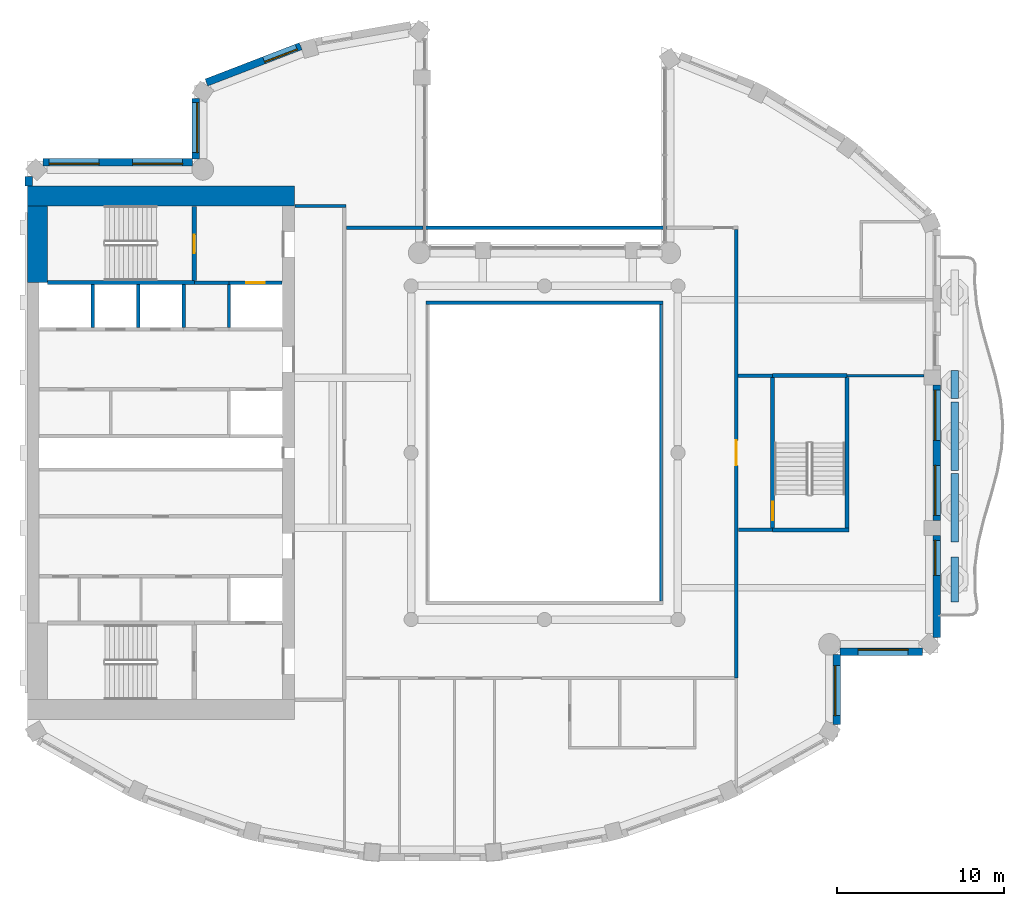
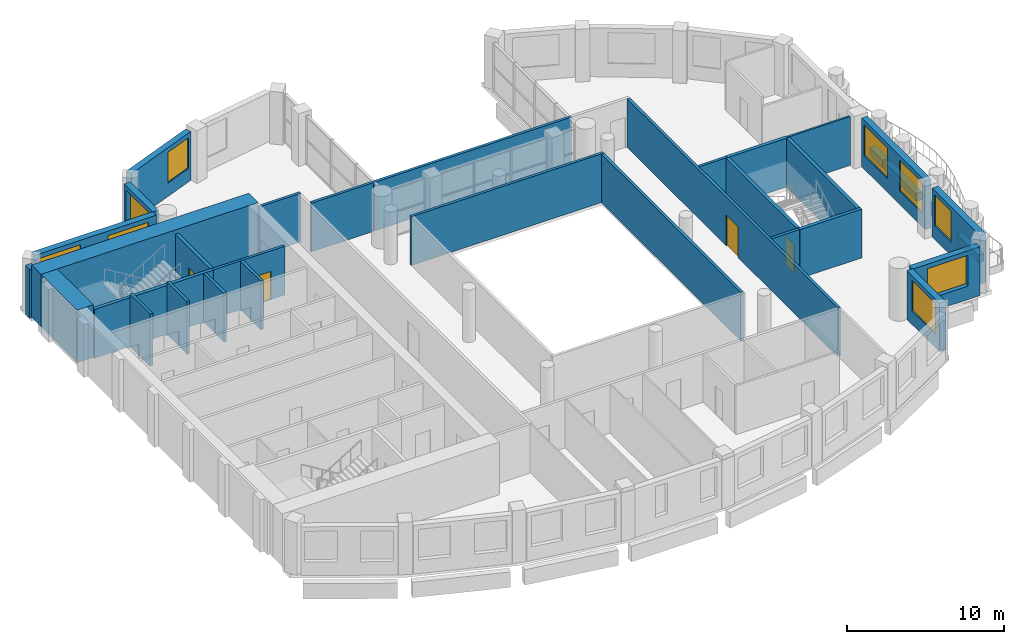
# One storey, part 6 of 14: 35 walls, 9 windows, 4 doors, 13 openings.
"""IFC4 building model written with IfcOpenShell, lengths in metres."""

from ifc_helpers import new_model, si_unit, direction, frame, frame_2d, origin, place, context, subcontext, project, spatial, rectangle, extrude, material, layer, layer_set, type_object, element, fill, save


model = new_model("IFC4")

# Units and contexts
model_context = context("Model", 3, precision=1e-05, world=origin(), true_north=direction((0.0, 1.0)))
body_context = subcontext(model_context, "Body", "Model", "MODEL_VIEW")
ifc_project = project(units=[si_unit("LENGTHUNIT", "METRE"), si_unit("AREAUNIT", "SQUARE_METRE"), si_unit("VOLUMEUNIT", "CUBIC_METRE"), si_unit("PLANEANGLEUNIT", "RADIAN"), si_unit("MASSUNIT", "GRAM", prefix="KILO")], contexts=[model_context])

# Site, building, storey
site_placement = place(None, origin())
site = spatial("IfcSite", under=ifc_project, at=site_placement, CompositionType="ELEMENT")
building_placement = place(site_placement, origin())
building = spatial("IfcBuilding", under=site, at=building_placement, Name="Cypress Arch Tower", CompositionType="ELEMENT")
storey_placement = place(building_placement, frame((0.0, 0.0, 255.699951171875)))
storey = spatial("IfcBuildingStorey", under=building, at=storey_placement, Name="L57", CompositionType="ELEMENT", Elevation=255.699951171875)

# Walls
ifc_material_1 = material(Name="Concrete C40/50, waterproofed", Category="concrete")
ifc_layer_1 = layer(ifc_material_1, 0.449951171875)
ifc_layer_set_1 = layer_set([ifc_layer_1], Name="Balcony planter wall PW450")
wall_type_1 = type_object("IfcWallType", Name="Balcony planter wall PW450", PredefinedType="SOLIDWALL", material=ifc_layer_set_1)
wall_1_placement = place(storey_placement, frame((25.60009765625, -8.949951171875, 0.0), z_axis=(0.0, 0.0, 1.0), x_axis=(0.0, 1.0, 0.0)))
element("IfcWall", 1, at=wall_1_placement, inside=storey, type_object=wall_type_1, Name="Balcony planter wall L57-C17.1", PredefinedType="SOLIDWALL", context=body_context, shape_type="SweptSolid", body=[
    extrude(rectangle(XDim=2.699951171875, YDim=0.449951171875, at=frame_2d((1.35009765625, 0.0))), origin(), (0.0, 0.0, 1.0), 0.60009765625),
])
for number, where, z_axis, x_axis, name in (
    (2, (25.60009765625, -5.35009765625, 0.0), (0.0, 0.0, 1.0), (0.0, 1.0, 0.0), "Balcony planter wall L57-C17.2"),
    (3, (25.60009765625, -1.050048828125, 0.0), (0.0, 0.0, 1.0), (0.0, 1.0, 0.0), "Balcony planter wall L57-C17.3"),
):
    element("IfcWall", number, at=place(storey_placement, frame(where, z_axis=z_axis, x_axis=x_axis)), inside=storey, type_object=wall_type_1, Name=name, PredefinedType="SOLIDWALL", context=body_context, shape_type="SweptSolid", body=[
        extrude(rectangle(XDim=4.10009765625, YDim=0.449951171875, at=frame_2d((2.050048828125, 0.0))), origin(), (0.0, 0.0, 1.0), 0.60009765625),
    ])
wall_2_placement = place(storey_placement, frame((25.60009765625, 3.25, 0.0), z_axis=(0.0, 0.0, 1.0), x_axis=(0.0, 1.0, 0.0)))
element("IfcWall", 4, at=wall_2_placement, inside=storey, type_object=wall_type_1, Name="Balcony planter wall L57-C17.4", PredefinedType="SOLIDWALL", context=body_context, shape_type="SweptSolid", body=[
    extrude(rectangle(XDim=1.69140625, YDim=0.449951171875, at=frame_2d((0.845703125, 0.0))), origin(), (0.0, 0.0, 1.0), 0.60009765625),
])

# Wall, opening, window
ifc_material_2 = material(Name="Brick (red buff blend)", Category="masonry")
ifc_layer_2 = layer(ifc_material_2, 0.449951171875)
ifc_layer_set_2 = layer_set([ifc_layer_2], Name="Brick pier and spandrel wall BW450")
wall_type_2 = type_object("IfcWallType", Name="Brick pier and spandrel wall BW450", PredefinedType="SOLIDWALL", material=ifc_layer_set_2)
wall_3_placement = place(storey_placement, frame((-13.6220703125, 24.376953125, 0.0), z_axis=(0.0, 0.0, 1.0), x_axis=(-0.933129259679, -0.359541075164, 0.0)))
wall_3 = element("IfcWall", 5, at=wall_3_placement, inside=storey, type_object=wall_type_2, Name="Brick wall L57 C04.0", PredefinedType="SOLIDWALL", context=body_context, shape_type="SweptSolid", body=[
    extrude(rectangle(XDim=6.05419921875, YDim=0.449951171875, at=frame_2d((3.027099609375, 0.0))), origin(), (0.0, 0.0, 1.0), 3.800048828125),
])
opening_1_placement = place(wall_3_placement, frame((0.260986328125, 0.0, 1.050048828125)))
opening_1 = element("IfcOpeningElement", 6, at=opening_1_placement, cuts=wall_3, Name="Opening W210O", PredefinedType="OPENING", context=body_context, shape_type="SweptSolid", body=[
    extrude(rectangle(XDim=2.10009765625, YDim=2.39990234375, at=frame_2d((1.050048828125, 1.199951171875))), frame((0.0, 0.23486328125, 0.0), z_axis=(0.0, -1.0, 0.0), x_axis=(1.0, 0.0, 0.0)), (0.0, 0.0, 1.0), 0.469970703125),
])
ifc_material_3 = material(Name="Anodised aluminium, bronze finish, clear low-emissivity double glazing", Category="aluminium")
window_type_1 = type_object("IfcWindowType", Name="Window Office 2100x2400", PartitioningType="SINGLE_PANEL", PredefinedType="WINDOW", material=ifc_material_3)
window_1_placement = place(opening_1_placement, origin())
window_1 = element("IfcWindow", 7, at=window_1_placement, inside=storey, type_object=window_type_1, Name="Window L57 C04.0.1", OverallHeight=2.39990234375, OverallWidth=2.10009765625, PartitioningType="SINGLE_PANEL", PredefinedType="WINDOW", context=body_context, shape_type="SweptSolid", body=[
    extrude(rectangle(XDim=2.10009765625, YDim=2.39990234375, at=frame_2d((1.050048828125, 1.199951171875))), frame((0.0, 0.135009765625, 0.0), z_axis=(0.0, -1.0, 0.0), x_axis=(1.0, 0.0, 0.0)), (0.0, 0.0, 1.0), 0.06005859375),
])
fill(opening_1, window_1)

wall_4_placement = place(storey_placement, frame((-19.925048828125, 21.248291015625, 0.0), z_axis=(0.0, 0.0, 1.0), x_axis=(0.0, -1.0, 0.0)))
wall_4 = element("IfcWall", 8, at=wall_4_placement, inside=storey, type_object=wall_type_2, Name="Brick wall L57 C05.0", PredefinedType="SOLIDWALL", context=body_context, shape_type="SweptSolid", body=[
    extrude(rectangle(XDim=3.646728515625, YDim=0.449951171875, at=frame_2d((1.8232421875, 0.0))), origin(), (0.0, 0.0, 1.0), 3.800048828125),
])
opening_2_placement = place(wall_4_placement, frame((0.251220703125, 0.0, 1.050048828125)))
opening_2 = element("IfcOpeningElement", 9, at=opening_2_placement, cuts=wall_4, Name="Opening W300O", PredefinedType="OPENING", context=body_context, shape_type="SweptSolid", body=[
    extrude(rectangle(XDim=3.0, YDim=2.39990234375, at=frame_2d((1.5, 1.199951171875))), frame((0.0, 0.23486328125, 0.0), z_axis=(0.0, -1.0, 0.0), x_axis=(1.0, 0.0, 0.0)), (0.0, 0.0, 1.0), 0.469970703125),
])
ifc_material_4 = material(Name="Anodised aluminium, bronze finish, clear low-emissivity double glazing", Category="aluminium")
window_type_2 = type_object("IfcWindowType", Name="Window Office 3000x2400", PartitioningType="SINGLE_PANEL", PredefinedType="WINDOW", material=ifc_material_4)
window_2_placement = place(opening_2_placement, origin())
window_2 = element("IfcWindow", 10, at=window_2_placement, inside=storey, type_object=window_type_2, Name="Window L57 C05.0.1", OverallHeight=2.39990234375, OverallWidth=3.0, PartitioningType="SINGLE_PANEL", PredefinedType="WINDOW", context=body_context, shape_type="SweptSolid", body=[
    extrude(rectangle(XDim=3.0, YDim=2.39990234375, at=frame_2d((1.5, 1.199951171875))), frame((0.0, 0.135009765625, 0.0), z_axis=(0.0, -1.0, 0.0), x_axis=(1.0, 0.0, 0.0)), (0.0, 0.0, 1.0), 0.06005859375),
])
fill(opening_2, window_2)

# Wall, openings, windows
wall_5_placement = place(storey_placement, frame((-20.1015625, 17.425048828125, 0.0), z_axis=(0.0, 0.0, 1.0), x_axis=(-1.0, 0.0, 0.0)))
wall_5 = element("IfcWall", 11, at=wall_5_placement, inside=storey, type_object=wall_type_2, Name="Brick wall L57 C06.0", PredefinedType="SOLIDWALL", context=body_context, shape_type="SweptSolid", body=[
    extrude(rectangle(XDim=8.962158203125, YDim=0.449951171875, at=frame_2d((4.48095703125, 0.0))), origin(), (0.0, 0.0, 1.0), 3.800048828125),
])
opening_3_placement = place(wall_5_placement, frame((0.598388671875, 0.0, 1.050048828125)))
opening_3 = element("IfcOpeningElement", 12, at=opening_3_placement, cuts=wall_5, Name="Opening W300O", PredefinedType="OPENING", context=body_context, shape_type="SweptSolid", body=[
    extrude(rectangle(XDim=3.0, YDim=2.39990234375, at=frame_2d((1.5, 1.199951171875))), frame((0.0, 0.23486328125, 0.0), z_axis=(0.0, -1.0, 0.0), x_axis=(1.0, 0.0, 0.0)), (0.0, 0.0, 1.0), 0.469970703125),
])
opening_4_placement = place(wall_5_placement, frame((5.598388671875, 0.0, 1.050048828125)))
opening_4 = element("IfcOpeningElement", 13, at=opening_4_placement, cuts=wall_5, Name="Opening W300O", PredefinedType="OPENING", context=body_context, shape_type="SweptSolid", body=[
    extrude(rectangle(XDim=3.0, YDim=2.39990234375, at=frame_2d((1.5, 1.199951171875))), frame((0.0, 0.23486328125, 0.0), z_axis=(0.0, -1.0, 0.0), x_axis=(1.0, 0.0, 0.0)), (0.0, 0.0, 1.0), 0.469970703125),
])
window_3_placement = place(opening_3_placement, origin())
window_3 = element("IfcWindow", 14, at=window_3_placement, inside=storey, type_object=window_type_2, Name="Window L57 C06.0.1", OverallHeight=2.39990234375, OverallWidth=3.0, PartitioningType="SINGLE_PANEL", PredefinedType="WINDOW", context=body_context, shape_type="SweptSolid", body=[
    extrude(rectangle(XDim=3.0, YDim=2.39990234375, at=frame_2d((1.5, 1.199951171875))), frame((0.0, 0.135009765625, 0.0), z_axis=(0.0, -1.0, 0.0), x_axis=(1.0, 0.0, 0.0)), (0.0, 0.0, 1.0), 0.06005859375),
])
fill(opening_3, window_3)
window_4_placement = place(opening_4_placement, origin())
window_4 = element("IfcWindow", 15, at=window_4_placement, inside=storey, type_object=window_type_2, Name="Window L57 C06.0.2", OverallHeight=2.39990234375, OverallWidth=3.0, PartitioningType="SINGLE_PANEL", PredefinedType="WINDOW", context=body_context, shape_type="SweptSolid", body=[
    extrude(rectangle(XDim=3.0, YDim=2.39990234375, at=frame_2d((1.5, 1.199951171875))), frame((0.0, 0.135009765625, 0.0), z_axis=(0.0, -1.0, 0.0), x_axis=(1.0, 0.0, 0.0)), (0.0, 0.0, 1.0), 0.06005859375),
])
fill(opening_4, window_4)

# Wall
wall_6_placement = place(storey_placement, frame((-29.925048828125, 16.563720703125, 0.0), z_axis=(0.0, 0.0, 1.0), x_axis=(0.0, -1.0, 0.0)))
element("IfcWall", 16, at=wall_6_placement, inside=storey, type_object=wall_type_2, Name="Brick wall L57 C07.0", PredefinedType="SOLIDWALL", context=body_context, shape_type="SweptSolid", body=[
    extrude(rectangle(XDim=0.563720703125, YDim=0.449951171875, at=frame_2d((0.28173828125, 0.0))), origin(), (0.0, 0.0, 1.0), 3.800048828125),
])

# Wall, opening, window
wall_7_placement = place(storey_placement, frame((18.52490234375, -16.3037109375, 0.0), z_axis=(0.0, 0.0, 1.0), x_axis=(0.0, 1.0, 0.0)))
wall_7 = element("IfcWall", 17, at=wall_7_placement, inside=storey, type_object=wall_type_2, Name="Brick wall L57 C15.0", PredefinedType="SOLIDWALL", context=body_context, shape_type="SweptSolid", body=[
    extrude(rectangle(XDim=4.2021484375, YDim=0.449951171875, at=frame_2d((2.10107421875, 0.0))), origin(), (0.0, 0.0, 1.0), 3.800048828125),
])
opening_5_placement = place(wall_7_placement, frame((0.541259765625, 0.0, 1.050048828125)))
opening_5 = element("IfcOpeningElement", 18, at=opening_5_placement, cuts=wall_7, Name="Opening W300O", PredefinedType="OPENING", context=body_context, shape_type="SweptSolid", body=[
    extrude(rectangle(XDim=3.0, YDim=2.39990234375, at=frame_2d((1.5, 1.199951171875))), frame((0.0, 0.23486328125, 0.0), z_axis=(0.0, -1.0, 0.0), x_axis=(1.0, 0.0, 0.0)), (0.0, 0.0, 1.0), 0.469970703125),
])
window_5_placement = place(opening_5_placement, origin())
window_5 = element("IfcWindow", 19, at=window_5_placement, inside=storey, type_object=window_type_2, Name="Window L57 C15.0.1", OverallHeight=2.39990234375, OverallWidth=3.0, PartitioningType="SINGLE_PANEL", PredefinedType="WINDOW", context=body_context, shape_type="SweptSolid", body=[
    extrude(rectangle(XDim=3.0, YDim=2.39990234375, at=frame_2d((1.5, 1.199951171875))), frame((0.0, 0.135009765625, 0.0), z_axis=(0.0, -1.0, 0.0), x_axis=(1.0, 0.0, 0.0)), (0.0, 0.0, 1.0), 0.06005859375),
])
fill(opening_5, window_5)

wall_8_placement = place(storey_placement, frame((18.701416015625, -11.925048828125, 0.0), z_axis=(0.0, 0.0, 1.0), x_axis=(1.0, 0.0, 0.0)))
wall_8 = element("IfcWall", 20, at=wall_8_placement, inside=storey, type_object=wall_type_2, Name="Brick wall L57 C16.0", PredefinedType="SOLIDWALL", context=body_context, shape_type="SweptSolid", body=[
    extrude(rectangle(XDim=4.962158203125, YDim=0.449951171875, at=frame_2d((2.48095703125, 0.0))), origin(), (0.0, 0.0, 1.0), 3.800048828125),
])
opening_6_placement = place(wall_8_placement, frame((1.098388671875, 0.0, 1.050048828125)))
opening_6 = element("IfcOpeningElement", 21, at=opening_6_placement, cuts=wall_8, Name="Opening W300O", PredefinedType="OPENING", context=body_context, shape_type="SweptSolid", body=[
    extrude(rectangle(XDim=3.0, YDim=2.39990234375, at=frame_2d((1.5, 1.199951171875))), frame((0.0, 0.23486328125, 0.0), z_axis=(0.0, -1.0, 0.0), x_axis=(1.0, 0.0, 0.0)), (0.0, 0.0, 1.0), 0.469970703125),
])
window_6_placement = place(opening_6_placement, origin())
window_6 = element("IfcWindow", 22, at=window_6_placement, inside=storey, type_object=window_type_2, Name="Window L57 C16.0.1", OverallHeight=2.39990234375, OverallWidth=3.0, PartitioningType="SINGLE_PANEL", PredefinedType="WINDOW", context=body_context, shape_type="SweptSolid", body=[
    extrude(rectangle(XDim=3.0, YDim=2.39990234375, at=frame_2d((1.5, 1.199951171875))), frame((0.0, 0.135009765625, 0.0), z_axis=(0.0, -1.0, 0.0), x_axis=(1.0, 0.0, 0.0)), (0.0, 0.0, 1.0), 0.06005859375),
])
fill(opening_6, window_6)

wall_9_placement = place(storey_placement, frame((24.52490234375, -11.063720703125, 0.0), z_axis=(0.0, 0.0, 1.0), x_axis=(0.0, 1.0, 0.0)))
wall_9 = element("IfcWall", 23, at=wall_9_placement, inside=storey, type_object=wall_type_2, Name="Brick wall L57 C17.0", PredefinedType="SOLIDWALL", context=body_context, shape_type="SweptSolid", body=[
    extrude(rectangle(XDim=6.11376953125, YDim=0.449951171875, at=frame_2d((3.056884765625, 0.0))), origin(), (0.0, 0.0, 1.0), 3.800048828125),
])
opening_7_placement = place(wall_9_placement, frame((3.713623046875, 0.0, 1.050048828125)))
opening_7 = element("IfcOpeningElement", 24, at=opening_7_placement, cuts=wall_9, Name="Opening W210OD", PredefinedType="OPENING", context=body_context, shape_type="SweptSolid", body=[
    extrude(rectangle(XDim=2.10009765625, YDim=2.39990234375, at=frame_2d((1.050048828125, 1.199951171875))), frame((0.0, 0.23486328125, 0.0), z_axis=(0.0, -1.0, 0.0), x_axis=(1.0, 0.0, 0.0)), (0.0, 0.0, 1.0), 0.469970703125),
])
ifc_material_5 = material(Name="Anodised aluminium, bronze finish, laminated low-emissivity double glazing, large-missile impact rated", Category="aluminium")
window_type_3 = type_object("IfcWindowType", Name="Window Office 2100x2400 debris-rated", PartitioningType="SINGLE_PANEL", PredefinedType="WINDOW", material=ifc_material_5)
window_7_placement = place(opening_7_placement, origin())
window_7 = element("IfcWindow", 25, at=window_7_placement, inside=storey, type_object=window_type_3, Name="Window L57 C17.0.2", OverallHeight=2.39990234375, OverallWidth=2.10009765625, PartitioningType="SINGLE_PANEL", PredefinedType="WINDOW", context=body_context, shape_type="SweptSolid", body=[
    extrude(rectangle(XDim=2.10009765625, YDim=2.39990234375, at=frame_2d((1.050048828125, 1.199951171875))), frame((0.0, 0.135009765625, 0.0), z_axis=(0.0, -1.0, 0.0), x_axis=(1.0, 0.0, 0.0)), (0.0, 0.0, 1.0), 0.06005859375),
])
fill(opening_7, window_7)

# Wall, openings, windows
wall_10_placement = place(storey_placement, frame((24.52490234375, -4.050048828125, 0.0), z_axis=(0.0, 0.0, 1.0), x_axis=(0.0, 1.0, 0.0)))
wall_10 = element("IfcWall", 26, at=wall_10_placement, inside=storey, type_object=wall_type_2, Name="Brick wall L57 C17.1", PredefinedType="SOLIDWALL", context=body_context, shape_type="SweptSolid", body=[
    extrude(rectangle(XDim=8.10009765625, YDim=0.449951171875, at=frame_2d((4.050048828125, 0.0))), origin(), (0.0, 0.0, 1.0), 3.800048828125),
])
opening_8_placement = place(wall_10_placement, frame((0.300048828125, 0.0, 1.050048828125)))
opening_8 = element("IfcOpeningElement", 27, at=opening_8_placement, cuts=wall_10, Name="Opening W300OD", PredefinedType="OPENING", context=body_context, shape_type="SweptSolid", body=[
    extrude(rectangle(XDim=3.0, YDim=2.39990234375, at=frame_2d((1.5, 1.199951171875))), frame((0.0, 0.23486328125, 0.0), z_axis=(0.0, -1.0, 0.0), x_axis=(1.0, 0.0, 0.0)), (0.0, 0.0, 1.0), 0.469970703125),
])
opening_9_placement = place(wall_10_placement, frame((4.800048828125, 0.0, 1.050048828125)))
opening_9 = element("IfcOpeningElement", 28, at=opening_9_placement, cuts=wall_10, Name="Opening W300OD", PredefinedType="OPENING", context=body_context, shape_type="SweptSolid", body=[
    extrude(rectangle(XDim=3.0, YDim=2.39990234375, at=frame_2d((1.5, 1.199951171875))), frame((0.0, 0.23486328125, 0.0), z_axis=(0.0, -1.0, 0.0), x_axis=(1.0, 0.0, 0.0)), (0.0, 0.0, 1.0), 0.469970703125),
])
ifc_material_6 = material(Name="Anodised aluminium, bronze finish, laminated low-emissivity double glazing, large-missile impact rated", Category="aluminium")
window_type_4 = type_object("IfcWindowType", Name="Window Office 3000x2400 debris-rated", PartitioningType="SINGLE_PANEL", PredefinedType="WINDOW", material=ifc_material_6)
window_8_placement = place(opening_8_placement, origin())
window_8 = element("IfcWindow", 29, at=window_8_placement, inside=storey, type_object=window_type_4, Name="Window L57 C17.1.1", OverallHeight=2.39990234375, OverallWidth=3.0, PartitioningType="SINGLE_PANEL", PredefinedType="WINDOW", context=body_context, shape_type="SweptSolid", body=[
    extrude(rectangle(XDim=3.0, YDim=2.39990234375, at=frame_2d((1.5, 1.199951171875))), frame((0.0, 0.135009765625, 0.0), z_axis=(0.0, -1.0, 0.0), x_axis=(1.0, 0.0, 0.0)), (0.0, 0.0, 1.0), 0.06005859375),
])
fill(opening_8, window_8)
window_9_placement = place(opening_9_placement, origin())
window_9 = element("IfcWindow", 30, at=window_9_placement, inside=storey, type_object=window_type_4, Name="Window L57 C17.1.2", OverallHeight=2.39990234375, OverallWidth=3.0, PartitioningType="SINGLE_PANEL", PredefinedType="WINDOW", context=body_context, shape_type="SweptSolid", body=[
    extrude(rectangle(XDim=3.0, YDim=2.39990234375, at=frame_2d((1.5, 1.199951171875))), frame((0.0, 0.135009765625, 0.0), z_axis=(0.0, -1.0, 0.0), x_axis=(1.0, 0.0, 0.0)), (0.0, 0.0, 1.0), 0.06005859375),
])
fill(opening_9, window_9)

# Walls
ifc_material_7 = material(Name="Concrete C60/75", Category="concrete")
ifc_layer_3 = layer(ifc_material_7, 1.199951171875)
ifc_layer_set_3 = layer_set([ifc_layer_3], Name="Core wall CW1200 C60/75")
wall_type_3 = type_object("IfcWallType", Name="Core wall CW1200 C60/75", PredefinedType="SHEAR", material=ifc_layer_set_3)
wall_11_placement = place(storey_placement, frame((-30.0, 15.39990234375, 0.0), z_axis=(0.0, 0.0, 1.0), x_axis=(1.0, 0.0, 0.0)))
element("IfcWall", 31, at=wall_11_placement, inside=storey, type_object=wall_type_3, Name="Core wall", PredefinedType="SHEAR", context=body_context, shape_type="SweptSolid", body=[
    extrude(rectangle(XDim=16.0, YDim=1.199951171875, at=frame_2d((8.0, 0.0))), origin(), (0.0, 0.0, 1.0), 4.10009765625),
])
wall_12_placement = place(storey_placement, frame((-29.39990234375, 10.199951171875, 0.0), z_axis=(0.0, 0.0, 1.0), x_axis=(0.0, 1.0, 0.0)))
element("IfcWall", 32, at=wall_12_placement, inside=storey, type_object=wall_type_3, Name="Core wall", PredefinedType="SHEAR", context=body_context, shape_type="SweptSolid", body=[
    extrude(rectangle(XDim=4.60009765625, YDim=1.199951171875, at=frame_2d((2.300048828125, 0.0))), origin(), (0.0, 0.0, 1.0), 4.10009765625),
])
ifc_material_8 = material(Name="Concrete blockwork, plastered, rated", Category="masonry")
ifc_layer_4 = layer(ifc_material_8, 0.199951171875)
ifc_layer_set_4 = layer_set([ifc_layer_4], Name="Corridor wall FW200")
wall_type_4 = type_object("IfcWallType", Name="Corridor wall FW200", PredefinedType="PARTITIONING", material=ifc_layer_set_4)
wall_13_placement = place(storey_placement, frame((-20.0, 10.199951171875, 0.0), z_axis=(0.0, 0.0, 1.0), x_axis=(1.0, 0.0, 0.0)))
element("IfcWall", 33, at=wall_13_placement, inside=storey, type_object=wall_type_4, Name="Corridor wall", PredefinedType="PARTITIONING", context=body_context, shape_type="SweptSolid", body=[
    extrude(rectangle(XDim=2.080078125, YDim=0.199951171875, at=frame_2d((1.0400390625, 0.0))), origin(), (0.0, 0.0, 1.0), 3.800048828125),
])
wall_14_placement = place(storey_placement, frame((-13.969970703125, 14.800048828125, 0.0), z_axis=(0.0, 0.0, 1.0), x_axis=(1.0, 0.0, 0.0)))
element("IfcWall", 34, at=wall_14_placement, inside=storey, type_object=wall_type_4, Name="Corridor wall", PredefinedType="PARTITIONING", context=body_context, shape_type="SweptSolid", body=[
    extrude(rectangle(XDim=3.070068359375, YDim=0.199951171875, at=frame_2d((1.53515625, 0.0))), origin(), (0.0, 0.0, 1.0), 3.800048828125),
])
wall_15_placement = place(storey_placement, frame((-10.8798828125, 13.5, 0.0), z_axis=(0.0, 0.0, 1.0), x_axis=(1.0, 0.0, 0.0)))
element("IfcWall", 35, at=wall_15_placement, inside=storey, type_object=wall_type_4, Name="Corridor wall", PredefinedType="PARTITIONING", context=body_context, shape_type="SweptSolid", body=[
    extrude(rectangle(XDim=4.579833984375, YDim=0.199951171875, at=frame_2d((2.2900390625, 0.0))), origin(), (0.0, 0.0, 1.0), 3.800048828125),
])
wall_16_placement = place(storey_placement, frame((-6.27001953125, 13.5, 0.0), z_axis=(0.0, 0.0, 1.0), x_axis=(1.0, 0.0, 0.0)))
element("IfcWall", 36, at=wall_16_placement, inside=storey, type_object=wall_type_4, Name="Corridor wall", PredefinedType="PARTITIONING", context=body_context, shape_type="SweptSolid", body=[
    extrude(rectangle(XDim=14.570068359375, YDim=0.199951171875, at=frame_2d((7.28515625, 0.0))), origin(), (0.0, 0.0, 1.0), 3.800048828125),
])
wall_17_placement = place(storey_placement, frame((-6.10009765625, 9.0, 0.0), z_axis=(0.0, 0.0, 1.0), x_axis=(1.0, 0.0, 0.0)))
element("IfcWall", 37, at=wall_17_placement, inside=storey, type_object=wall_type_4, Name="Corridor wall", PredefinedType="PARTITIONING", context=body_context, shape_type="SweptSolid", body=[
    extrude(rectangle(XDim=14.2001953125, YDim=0.199951171875, at=frame_2d((7.10009765625, 0.0))), origin(), (0.0, 0.0, 1.0), 3.800048828125),
])
wall_18_placement = place(storey_placement, frame((8.0, -8.89990234375, 0.0), z_axis=(0.0, 0.0, 1.0), x_axis=(0.0, 1.0, 0.0)))
element("IfcWall", 38, at=wall_18_placement, inside=storey, type_object=wall_type_4, Name="Corridor wall", PredefinedType="PARTITIONING", context=body_context, shape_type="SweptSolid", body=[
    extrude(rectangle(XDim=17.7998046875, YDim=0.199951171875, at=frame_2d((8.89990234375, 0.0))), origin(), (0.0, 0.0, 1.0), 3.800048828125),
])

# Wall, opening, door
wall_19_placement = place(storey_placement, frame((12.5, -13.5, 0.0), z_axis=(0.0, 0.0, 1.0), x_axis=(0.0, 1.0, 0.0)))
wall_19 = element("IfcWall", 39, at=wall_19_placement, inside=storey, type_object=wall_type_4, Name="Corridor wall", PredefinedType="PARTITIONING", context=body_context, shape_type="SweptSolid", body=[
    extrude(rectangle(XDim=26.89990234375, YDim=0.199951171875, at=frame_2d((13.449951171875, 0.0))), origin(), (0.0, 0.0, 1.0), 3.800048828125),
])
opening_10_placement = place(wall_19_placement, frame((12.75, 0.0, 0.0)))
opening_10 = element("IfcOpeningElement", 40, at=opening_10_placement, cuts=wall_19, Name="Opening D07", PredefinedType="OPENING", context=body_context, shape_type="SweptSolid", body=[
    extrude(rectangle(XDim=1.5, YDim=2.39990234375, at=frame_2d((0.75, 1.199951171875))), frame((0.0, 0.10986328125, 0.0), z_axis=(0.0, -1.0, 0.0), x_axis=(1.0, 0.0, 0.0)), (0.0, 0.0, 1.0), 0.219970703125),
])
ifc_material_9 = material(Name="Steel framed glazed door, fire resisting", Category="steel")
door_type_1 = type_object("IfcDoorType", Name="Lobby door D07 1500x2400", OperationType="DOUBLE_DOOR_SINGLE_SWING", PredefinedType="DOOR", material=ifc_material_9)
door_1_placement = place(opening_10_placement, origin())
door_1 = element("IfcDoor", 41, at=door_1_placement, inside=storey, type_object=door_type_1, Name="Lobby door", OperationType="DOUBLE_DOOR_SINGLE_SWING", OverallHeight=2.39990234375, OverallWidth=1.5, PredefinedType="DOOR", context=body_context, shape_type="SweptSolid", body=[
    extrude(rectangle(XDim=1.5, YDim=2.39990234375, at=frame_2d((0.75, 1.199951171875))), frame((0.0, 0.02490234375, 0.0), z_axis=(0.0, -1.0, 0.0), x_axis=(1.0, 0.0, 0.0)), (0.0, 0.0, 1.0), 0.050048828125),
])
fill(opening_10, door_1)

# Walls
wall_20_placement = place(storey_placement, frame((12.60009765625, 4.625, 0.0), z_axis=(0.0, 0.0, 1.0), x_axis=(1.0, 0.0, 0.0)))
element("IfcWall", 42, at=wall_20_placement, inside=storey, type_object=wall_type_4, Name="Corridor wall", PredefinedType="PARTITIONING", context=body_context, shape_type="SweptSolid", body=[
    extrude(rectangle(XDim=2.074951171875, YDim=0.199951171875, at=frame_2d((1.03759765625, 0.0))), origin(), (0.0, 0.0, 1.0), 3.800048828125),
])
wall_21_placement = place(storey_placement, frame((12.6201171875, -4.625, 0.0), z_axis=(0.0, 0.0, 1.0), x_axis=(1.0, 0.0, 0.0)))
element("IfcWall", 43, at=wall_21_placement, inside=storey, type_object=wall_type_4, Name="Corridor wall", PredefinedType="PARTITIONING", context=body_context, shape_type="SweptSolid", body=[
    extrude(rectangle(XDim=2.034912109375, YDim=0.199951171875, at=frame_2d((1.017578125, 0.0))), origin(), (0.0, 0.0, 1.0), 3.800048828125),
])
ifc_material_10 = material(Name="Blockwork, plastered both sides", Category="masonry")
ifc_layer_5 = layer(ifc_material_10, 0.14990234375)
ifc_layer_set_5 = layer_set([ifc_layer_5], Name="Partition PW150")
wall_type_5 = type_object("IfcWallType", Name="Partition PW150", PredefinedType="PARTITIONING", material=ifc_layer_set_5)
wall_22_placement = place(storey_placement, frame((19.14501953125, 4.625, 0.0), z_axis=(0.0, 0.0, 1.0), x_axis=(1.0, 0.0, 0.0)))
element("IfcWall", 44, at=wall_22_placement, inside=storey, type_object=wall_type_5, Name="Partition", PredefinedType="PARTITIONING", context=body_context, shape_type="SweptSolid", body=[
    extrude(rectangle(XDim=4.60498046875, YDim=0.14990234375, at=frame_2d((2.302490234375, 0.0))), origin(), (0.0, 0.0, 1.0), 3.800048828125),
])
ifc_material_11 = material(Name="Concrete C50/60", Category="concrete")
ifc_layer_6 = layer(ifc_material_11, 0.199951171875)
ifc_layer_set_6 = layer_set([ifc_layer_6], Name="Shaft wall SH200")
wall_type_6 = type_object("IfcWallType", Name="Shaft wall SH200", PredefinedType="SHEAR", material=ifc_layer_set_6)
for number, where, z_axis, x_axis, name in (
    (45, (-26.080078125, 7.5, 0.0), (0.0, 0.0, 1.0), (0.0, 1.0, 0.0), "Shaft wall"),
    (46, (-23.360107421875, 7.5, 0.0), (0.0, 0.0, 1.0), (0.0, 1.0, 0.0), "Shaft wall"),
):
    element("IfcWall", number, at=place(storey_placement, frame(where, z_axis=z_axis, x_axis=x_axis)), inside=storey, type_object=wall_type_6, Name=name, PredefinedType="SHEAR", context=body_context, shape_type="SweptSolid", body=[
        extrude(rectangle(XDim=2.574951171875, YDim=0.199951171875, at=frame_2d((1.28759765625, 0.0))), origin(), (0.0, 0.0, 1.0), 4.10009765625),
    ])
wall_23_placement = place(storey_placement, frame((-20.639892578125, 7.5, 0.0), z_axis=(0.0, 0.0, 1.0), x_axis=(0.0, 1.0, 0.0)))
element("IfcWall", 47, at=wall_23_placement, inside=storey, type_object=wall_type_6, Name="Shaft wall", PredefinedType="SHEAR", context=body_context, shape_type="SweptSolid", body=[
    extrude(rectangle(XDim=2.574951171875, YDim=0.199951171875, at=frame_2d((1.28759765625, 0.0))), origin(), (0.0, 0.0, 1.0), 3.800048828125),
])
wall_24_placement = place(storey_placement, frame((-17.919921875, 7.5, 0.0), z_axis=(0.0, 0.0, 1.0), x_axis=(0.0, 1.0, 0.0)))
element("IfcWall", 48, at=wall_24_placement, inside=storey, type_object=wall_type_6, Name="Shaft wall", PredefinedType="SHEAR", context=body_context, shape_type="SweptSolid", body=[
    extrude(rectangle(XDim=2.60009765625, YDim=0.199951171875, at=frame_2d((1.300048828125, 0.0))), origin(), (0.0, 0.0, 1.0), 3.800048828125),
])

# Wall, opening, door
wall_25_placement = place(storey_placement, frame((-17.919921875, 10.199951171875, 0.0), z_axis=(0.0, 0.0, 1.0), x_axis=(1.0, 0.0, 0.0)))
wall_25 = element("IfcWall", 49, at=wall_25_placement, inside=storey, type_object=wall_type_6, Name="Shaft wall", PredefinedType="SHEAR", context=body_context, shape_type="SweptSolid", body=[
    extrude(rectangle(XDim=3.18994140625, YDim=0.199951171875, at=frame_2d((1.594970703125, 0.0))), origin(), (0.0, 0.0, 1.0), 3.800048828125),
])
opening_11_placement = place(wall_25_placement, frame((1.050048828125, 0.0, 0.0)))
opening_11 = element("IfcOpeningElement", 50, at=opening_11_placement, cuts=wall_25, Name="Opening LD-FL2", PredefinedType="OPENING", context=body_context, shape_type="SweptSolid", body=[
    extrude(rectangle(XDim=1.10009765625, YDim=2.199951171875, at=frame_2d((0.550048828125, 1.10009765625))), frame((0.0, 0.10986328125, 0.0), z_axis=(0.0, -1.0, 0.0), x_axis=(1.0, 0.0, 0.0)), (0.0, 0.0, 1.0), 0.219970703125),
])
ifc_material_12 = material(Name="Stainless steel centre-opening landing door, rated", Category="steel")
door_type_2 = type_object("IfcDoorType", Name="Lift landing door LD 1100x2200", OperationType="DOUBLE_DOOR_SLIDING", PredefinedType="DOOR", material=ifc_material_12)
door_2_placement = place(opening_11_placement, origin())
door_2 = element("IfcDoor", 51, at=door_2_placement, inside=storey, type_object=door_type_2, Name="Lift landing doors FL2", OperationType="DOUBLE_DOOR_SLIDING", OverallHeight=2.199951171875, OverallWidth=1.10009765625, PredefinedType="DOOR", context=body_context, shape_type="SweptSolid", body=[
    extrude(rectangle(XDim=1.10009765625, YDim=2.199951171875, at=frame_2d((0.550048828125, 1.10009765625))), frame((0.0, 0.02490234375, 0.0), z_axis=(0.0, -1.0, 0.0), x_axis=(1.0, 0.0, 0.0)), (0.0, 0.0, 1.0), 0.050048828125),
])
fill(opening_11, door_2)

# Wall
ifc_material_13 = material(Name="Concrete C50/60", Category="concrete")
ifc_layer_7 = layer(ifc_material_13, 0.25)
ifc_layer_set_7 = layer_set([ifc_layer_7], Name="Stair enclosure wall SW250")
wall_type_7 = type_object("IfcWallType", Name="Stair enclosure wall SW250", PredefinedType="SHEAR", material=ifc_layer_set_7)
wall_26_placement = place(storey_placement, frame((-28.81005859375, 10.199951171875, 0.0), z_axis=(0.0, 0.0, 1.0), x_axis=(1.0, 0.0, 0.0)))
element("IfcWall", 52, at=wall_26_placement, inside=storey, type_object=wall_type_7, Name="Stair enclosure wall", PredefinedType="SHEAR", context=body_context, shape_type="SweptSolid", body=[
    extrude(rectangle(XDim=8.81005859375, YDim=0.25, at=frame_2d((4.405029296875, 0.0))), origin(), (0.0, 0.0, 1.0), 3.800048828125),
])

# Wall, opening, door
wall_27_placement = place(storey_placement, frame((-20.0, 10.324951171875, 0.0), z_axis=(0.0, 0.0, 1.0), x_axis=(0.0, 1.0, 0.0)))
wall_27 = element("IfcWall", 53, at=wall_27_placement, inside=storey, type_object=wall_type_7, Name="Stair enclosure wall", PredefinedType="SHEAR", context=body_context, shape_type="SweptSolid", body=[
    extrude(rectangle(XDim=4.445068359375, YDim=0.25, at=frame_2d((2.22265625, 0.0))), origin(), (0.0, 0.0, 1.0), 3.800048828125),
])
opening_12_placement = place(wall_27_placement, frame((1.64990234375, 0.0, 0.0)))
opening_12 = element("IfcOpeningElement", 54, at=opening_12_placement, cuts=wall_27, Name="Opening D06", PredefinedType="OPENING", context=body_context, shape_type="SweptSolid", body=[
    extrude(rectangle(XDim=1.10009765625, YDim=2.199951171875, at=frame_2d((0.550048828125, 1.10009765625))), frame((0.0, 0.135009765625, 0.0), z_axis=(0.0, -1.0, 0.0), x_axis=(1.0, 0.0, 0.0)), (0.0, 0.0, 1.0), 0.27001953125),
])
ifc_material_14 = material(Name="Steel door, fire resisting, panic bar", Category="steel")
door_type_3 = type_object("IfcDoorType", Name="Stair door D06 1100x2200", OperationType="SINGLE_SWING_LEFT", PredefinedType="DOOR", material=ifc_material_14)
door_3_placement = place(opening_12_placement, origin())
door_3 = element("IfcDoor", 55, at=door_3_placement, inside=storey, type_object=door_type_3, Name="Stair door", OperationType="SINGLE_SWING_LEFT", OverallHeight=2.199951171875, OverallWidth=1.10009765625, PredefinedType="DOOR", context=body_context, shape_type="SweptSolid", body=[
    extrude(rectangle(XDim=1.10009765625, YDim=2.199951171875, at=frame_2d((0.550048828125, 1.10009765625))), frame((0.0, 0.02490234375, 0.0), z_axis=(0.0, -1.0, 0.0), x_axis=(1.0, 0.0, 0.0)), (0.0, 0.0, 1.0), 0.050048828125),
])
fill(opening_12, door_3)

wall_28_placement = place(storey_placement, frame((14.675048828125, -4.5, 0.0), z_axis=(0.0, 0.0, 1.0), x_axis=(0.0, 1.0, 0.0)))
wall_28 = element("IfcWall", 56, at=wall_28_placement, inside=storey, type_object=wall_type_7, Name="Stair enclosure wall", PredefinedType="SHEAR", context=body_context, shape_type="SweptSolid", body=[
    extrude(rectangle(XDim=9.0, YDim=0.25, at=frame_2d((4.5, 0.0))), origin(), (0.0, 0.0, 1.0), 3.800048828125),
])
opening_13_placement = place(wall_28_placement, frame((0.449951171875, 0.0, 0.0)))
opening_13 = element("IfcOpeningElement", 57, at=opening_13_placement, cuts=wall_28, Name="Opening D06", PredefinedType="OPENING", context=body_context, shape_type="SweptSolid", body=[
    extrude(rectangle(XDim=1.10009765625, YDim=2.199951171875, at=frame_2d((0.550048828125, 1.10009765625))), frame((0.0, 0.135009765625, 0.0), z_axis=(0.0, -1.0, 0.0), x_axis=(1.0, 0.0, 0.0)), (0.0, 0.0, 1.0), 0.27001953125),
])
door_4_placement = place(opening_13_placement, origin())
door_4 = element("IfcDoor", 58, at=door_4_placement, inside=storey, type_object=door_type_3, Name="Stair door", OperationType="SINGLE_SWING_RIGHT", OverallHeight=2.199951171875, OverallWidth=1.10009765625, PredefinedType="DOOR", context=body_context, shape_type="SweptSolid", body=[
    extrude(rectangle(XDim=1.10009765625, YDim=2.199951171875, at=frame_2d((0.550048828125, 1.10009765625))), frame((0.0, 0.02490234375, 0.0), z_axis=(0.0, -1.0, 0.0), x_axis=(1.0, 0.0, 0.0)), (0.0, 0.0, 1.0), 0.050048828125),
])
fill(opening_13, door_4)

# Walls
wall_29_placement = place(storey_placement, frame((14.675048828125, -4.625, 0.0), z_axis=(0.0, 0.0, 1.0), x_axis=(1.0, 0.0, 0.0)))
element("IfcWall", 59, at=wall_29_placement, inside=storey, type_object=wall_type_7, Name="Stair enclosure wall", PredefinedType="SHEAR", context=body_context, shape_type="SweptSolid", body=[
    extrude(rectangle(XDim=4.574951171875, YDim=0.25, at=frame_2d((2.28759765625, 0.0))), origin(), (0.0, 0.0, 1.0), 3.800048828125),
])
wall_30_placement = place(storey_placement, frame((14.675048828125, 4.625, 0.0), z_axis=(0.0, 0.0, 1.0), x_axis=(1.0, 0.0, 0.0)))
element("IfcWall", 60, at=wall_30_placement, inside=storey, type_object=wall_type_7, Name="Stair enclosure wall", PredefinedType="SHEAR", context=body_context, shape_type="SweptSolid", body=[
    extrude(rectangle(XDim=4.449951171875, YDim=0.25, at=frame_2d((2.22509765625, 0.0))), origin(), (0.0, 0.0, 1.0), 3.800048828125),
])
wall_31_placement = place(storey_placement, frame((19.125, -4.5, 0.0), z_axis=(0.0, 0.0, 1.0), x_axis=(0.0, 1.0, 0.0)))
element("IfcWall", 61, at=wall_31_placement, inside=storey, type_object=wall_type_7, Name="Stair enclosure wall", PredefinedType="SHEAR", context=body_context, shape_type="SweptSolid", body=[
    extrude(rectangle(XDim=9.0, YDim=0.25, at=frame_2d((4.5, 0.0))), origin(), (0.0, 0.0, 1.0), 3.800048828125),
])

save(model, "model.ifc")
